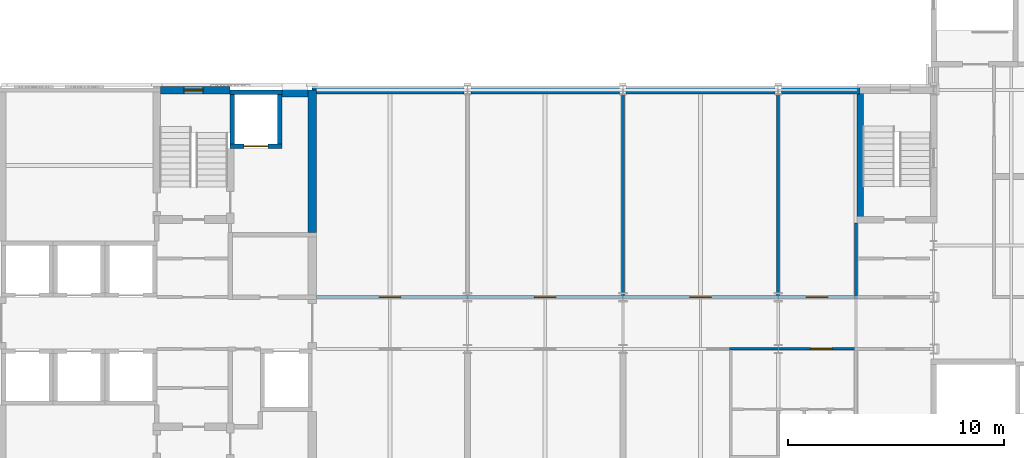
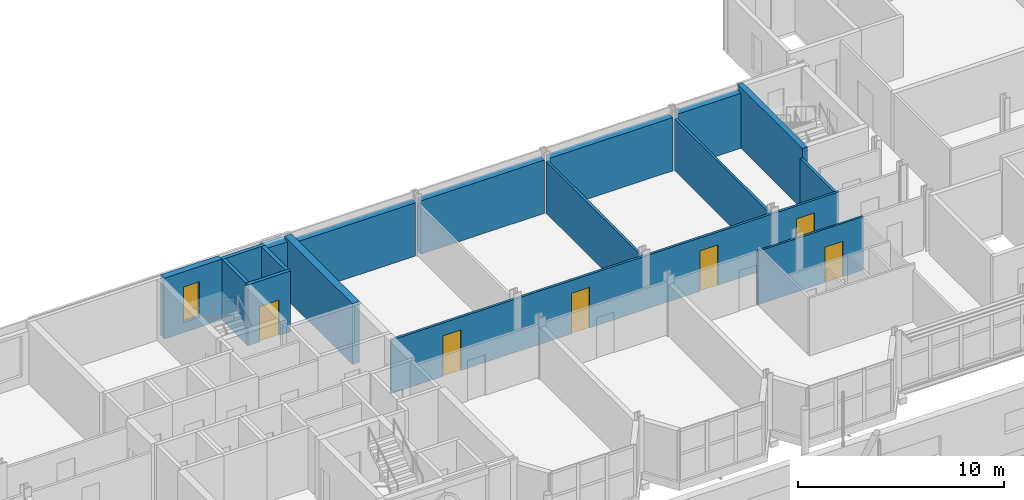
# One storey, part 100 of 142: 17 walls, 6 doors, 1 window, 7 openings.
"""IFC4 building model written with IfcOpenShell, lengths in metres."""

import ifcopenshell
import ifcopenshell.guid

model = None  # the IFC model being written
_history = None  # IfcOwnerHistory: only IFC2X3 demands one
_inside = {}  # id of a spatial element -> (the spatial element, [elements in it])
_under = {}  # id of a project, library or spatial element -> (it, [spatial elements below it])
_declared = {}  # id of a project -> (the project, [libraries it declares])
_typed = {}  # id of a type object -> (the type object, [elements of that type])
_made_of = {}  # id of a material, layer set ... -> (it, [elements and type objects made of it])


def new_model(schema):
    """Start an empty IFC model of exactly this schema.

    Asked for "IFC4X3", IfcOpenShell would pick the latest addendum, in which some entities
    have other attributes; the version numbers below select the first issue.
    IFC2X3 requires an IfcOwnerHistory on every rooted entity: one is made here for all.
    """
    global model, _history
    if schema == "IFC4X3":
        model = ifcopenshell.file(schema_version=(4, 3, 0, 0))
    else:
        model = ifcopenshell.file(schema=schema)
    _inside.clear()
    _under.clear()
    _declared.clear()
    _typed.clear()
    _made_of.clear()
    _history = None
    if model.schema == "IFC2X3":
        org = make("IfcOrganization", Name="unknown")
        user = make(
            "IfcPersonAndOrganization",
            ThePerson=make("IfcPerson", FamilyName="unknown"),
            TheOrganization=org,
        )
        app = make(
            "IfcApplication",
            ApplicationDeveloper=org,
            Version="unknown",
            ApplicationFullName="unknown",
            ApplicationIdentifier="unknown",
        )
        _history = make(
            "IfcOwnerHistory",
            OwningUser=user,
            OwningApplication=app,
            ChangeAction="ADDED",
            CreationDate=0,
        )
    return model


def make(cls, **values):
    """One entity of the class cls with the attributes given. An attribute that is None is left unset."""
    return model.create_entity(
        cls, **{name: value for name, value in values.items() if value is not None}
    )


def rooted(cls, **values):
    """An entity with a GlobalId (a new one), such as an element, a storey or a relation."""
    return make(cls, GlobalId=ifcopenshell.guid.new(), OwnerHistory=_history, **values)


def si_unit(unit_type, name, prefix=None):
    """IfcSIUnit, for example si_unit("LENGTHUNIT", "METRE", prefix="MILLI")."""
    return make("IfcSIUnit", UnitType=unit_type, Prefix=prefix, Name=name)


def assignment(units):
    """IfcUnitAssignment: the units of a project."""
    return None if units is None else make("IfcUnitAssignment", Units=units)


def point(xyz):
    """IfcCartesianPoint."""
    return None if xyz is None else make("IfcCartesianPoint", Coordinates=xyz)


def direction(xyz):
    """IfcDirection."""
    return None if xyz is None else make("IfcDirection", DirectionRatios=xyz)


def frame(location, z_axis=None, x_axis=None):
    """IfcAxis2Placement3D, a coordinate frame: its origin and axes. An axis left out is left unset."""
    return make(
        "IfcAxis2Placement3D",
        Location=point(location),
        Axis=direction(z_axis),
        RefDirection=direction(x_axis),
    )


def frame_2d(location, x_axis=None):
    """IfcAxis2Placement2D, a coordinate frame in the plane: its origin and x axis."""
    return make(
        "IfcAxis2Placement2D", Location=point(location), RefDirection=direction(x_axis)
    )


def origin():
    """The frame at (0, 0, 0) with its axes left unset."""
    return frame((0.0, 0.0, 0.0))


def place(relative_to, where):
    """IfcLocalPlacement: puts the frame where relative to a parent placement (None: the world)."""
    return make(
        "IfcLocalPlacement", PlacementRelTo=relative_to, RelativePlacement=where
    )


def context(
    kind, dimensions, precision=None, world=None, true_north=None, identifier=None
):
    """IfcGeometricRepresentationContext, for example the 3D "Model" context."""
    return make(
        "IfcGeometricRepresentationContext",
        ContextIdentifier=identifier,
        ContextType=kind,
        CoordinateSpaceDimension=dimensions,
        Precision=precision,
        WorldCoordinateSystem=world,
        TrueNorth=true_north,
    )


def subcontext(parent, identifier, kind, view, scale=None):
    """IfcGeometricRepresentationSubContext, for example "Body" below "Model"."""
    return make(
        "IfcGeometricRepresentationSubContext",
        ContextIdentifier=identifier,
        ContextType=kind,
        ParentContext=parent,
        TargetScale=scale,
        TargetView=view,
    )


def project(units=None, contexts=None):
    """IfcProject with its units and contexts."""
    return rooted(
        "IfcProject",
        Name="project",
        RepresentationContexts=contexts,
        UnitsInContext=assignment(units),
    )


def spatial(cls, under=None, at=None, **own):
    """A site, building, storey or space (cls), placed at a placement, below another one or the project."""
    s = rooted(cls, ObjectPlacement=at, **own)
    if under is not None:
        _under.setdefault(under.id(), (under, []))[1].append(s)
    return s


def profile(cls, at=None, kind="AREA", **sizes):
    """A parametric profile (cls). Its sizes go by their IFC names, for example OverallWidth=200.0."""
    return make(cls, ProfileType=kind, Position=at, **sizes)


def rectangle(**sizes):
    """IfcRectangleProfileDef."""
    return profile("IfcRectangleProfileDef", **sizes)


def extrude(swept, where, along, depth):
    """IfcExtrudedAreaSolid: the profile swept, set in the frame where, extruded along a direction by depth."""
    return make(
        "IfcExtrudedAreaSolid",
        SweptArea=swept,
        Position=where,
        ExtrudedDirection=direction(along),
        Depth=depth,
    )


def shape(context_of_items, identifier, shape_type, items):
    """IfcShapeRepresentation: the items that make up one representation, for example the "Body"."""
    return make(
        "IfcShapeRepresentation",
        ContextOfItems=context_of_items,
        RepresentationIdentifier=identifier,
        RepresentationType=shape_type,
        Items=items,
    )


def material(Name=None, Category=None):
    """IfcMaterial."""
    return make("IfcMaterial", Name=Name, Category=Category)


def layer(
    of_material, thickness, ventilated=None, Name=None, Category=None, Priority=None
):
    """IfcMaterialLayer: one layer of a wall or slab, of a material (None: an air gap)."""
    return make(
        "IfcMaterialLayer",
        Material=of_material,
        LayerThickness=thickness,
        IsVentilated=ventilated,
        Name=Name,
        Category=Category,
        Priority=Priority,
    )


def layer_set(layers, Name=None):
    """IfcMaterialLayerSet."""
    return make("IfcMaterialLayerSet", MaterialLayers=layers, LayerSetName=Name)


def made_of(thing, what):
    """Note that an element or type object is made of a material, layer set ...; save() writes the relation."""
    if what is not None:
        _made_of.setdefault(what.id(), (what, []))[1].append(thing)
    return thing


def type_object(cls, material=None, **own):
    """A type object (cls), such as IfcWallType, which elements share."""
    return made_of(rooted(cls, **own), material)


def element(
    cls,
    number,
    at=None,
    inside=None,
    cuts=None,
    type_object=None,
    material=None,
    context=None,
    identifier="Body",
    shape_type=None,
    held_by="IfcProductDefinitionShape",
    body=None,
    shapes=None,
    **own,
):
    """One element of the class cls, such as IfcWall. Its Tag is "e" and its number.

    at: its placement. inside: the storey or other place that contains it. cuts: it is an
    opening in that element (IfcRelVoidsElement). A single representation is given by context,
    identifier, shape_type and body (its items); several are given by shapes. held_by: the class
    of the entity that holds the representations. save() writes the other relations.
    """
    e = rooted(cls, Tag="e%d" % number, ObjectPlacement=at, **own)
    if body is not None:
        shapes = [shape(context, identifier, shape_type, body)]
    if shapes is not None:
        e.Representation = make(held_by, Representations=shapes)
    if inside is not None:
        _inside.setdefault(inside.id(), (inside, []))[1].append(e)
    if cuts is not None:
        rooted(
            "IfcRelVoidsElement", RelatingBuildingElement=cuts, RelatedOpeningElement=e
        )
    if type_object is not None:
        _typed.setdefault(type_object.id(), (type_object, []))[1].append(e)
    return made_of(e, material)


def fill(opening, filler):
    """IfcRelFillsElement: the door or window that sits in an opening."""
    return rooted(
        "IfcRelFillsElement",
        RelatingOpeningElement=opening,
        RelatedBuildingElement=filler,
    )


def aggregate(whole, parts):
    """IfcRelAggregates: a whole, such as a stair, and the parts it consists of."""
    return rooted("IfcRelAggregates", RelatingObject=whole, RelatedObjects=parts)


def save(model, path):
    """Write the relations noted so far, then the file.

    IfcRelAggregates (storeys below a building ...), IfcRelContainedInSpatialStructure (elements
    in a storey), IfcRelDefinesByType, IfcRelAssociatesMaterial and IfcRelDeclares: one each for
    every whole, place, type object, material and project.
    """
    for whole, parts in _under.values():
        aggregate(whole, parts)
    for where, things in _inside.values():
        rooted(
            "IfcRelContainedInSpatialStructure",
            RelatedElements=things,
            RelatingStructure=where,
        )
    for kind, things in _typed.values():
        rooted("IfcRelDefinesByType", RelatedObjects=things, RelatingType=kind)
    for what, things in _made_of.values():
        rooted("IfcRelAssociatesMaterial", RelatedObjects=things, RelatingMaterial=what)
    for by, libraries in _declared.values():
        rooted("IfcRelDeclares", RelatingContext=by, RelatedDefinitions=libraries)
    model.write(path)


model = new_model("IFC4")

# Units and contexts
model_context = context("Model", 3, precision=1e-05, world=origin(), true_north=direction((0.0, 1.0)))
body_context = subcontext(model_context, "Body", "Model", "MODEL_VIEW")
ifc_project = project(units=[si_unit("LENGTHUNIT", "METRE"), si_unit("AREAUNIT", "SQUARE_METRE"), si_unit("VOLUMEUNIT", "CUBIC_METRE"), si_unit("PLANEANGLEUNIT", "RADIAN"), si_unit("MASSUNIT", "GRAM", prefix="KILO")], contexts=[model_context])

# Site, building, storey
site_placement = place(None, origin())
site = spatial("IfcSite", under=ifc_project, at=site_placement, CompositionType="ELEMENT")
building_placement = place(site_placement, origin())
building = spatial("IfcBuilding", under=site, at=building_placement, Name="Kupolbacken Congress Centre", CompositionType="ELEMENT")
storey_placement = place(building_placement, frame((0.0, 0.0, 14.39990234375)))
storey = spatial("IfcBuildingStorey", under=building, at=storey_placement, Name="L04", CompositionType="ELEMENT", Elevation=14.39990234375)

# Walls
ifc_material_1 = material(Name="Limestone", Category="masonry")
ifc_layer_1 = layer(ifc_material_1, 0.1201171875)
ifc_material_2 = material(Name="Air cavity", Category="air")
ifc_layer_2 = layer(ifc_material_2, 0.0400390625, ventilated=True)
ifc_material_3 = material(Name="Mineral wool", Category="insulation")
ifc_layer_3 = layer(ifc_material_3, 0.169921875)
ifc_material_4 = material(Name="Steel studs", Category="metal")
ifc_layer_4 = layer(ifc_material_4, 0.050048828125)
ifc_layer_set_1 = layer_set([ifc_layer_1, ifc_layer_2, ifc_layer_3, ifc_layer_4], Name="Limestone / Mineral wool / Steel studs")
wall_type_1 = type_object("IfcWallType", Name="EW03 external cavity wall 380", PredefinedType="SOLIDWALL", material=ifc_layer_set_1)
wall_1_placement = place(storey_placement, frame((133.39990234375, 144.0, 0.0), z_axis=(0.0, 0.0, 1.0), x_axis=(-1.0, 0.0, 0.0)))
element("IfcWall", 1, at=wall_1_placement, inside=storey, type_object=wall_type_1, Name="E/T/N/L04/047", PredefinedType="SOLIDWALL", context=body_context, shape_type="SweptSolid", body=[
    extrude(rectangle(XDim=3.646484375, YDim=0.3798828125, at=frame_2d((1.8232421875, 0.0))), origin(), (0.0, 0.0, 1.0), 3.260009765625),
])
for number, where, z_axis, x_axis, name in (
    (2, (129.446533203125, 144.0, 0.0), (0.0, 0.0, 1.0), (-1.0, 0.0, 0.0), "E/T/N/L04/048"),
    (3, (122.24658203125, 144.0, 0.0), (0.0, 0.0, 1.0), (-1.0, 0.0, 0.0), "E/T/N/L04/049"),
):
    element("IfcWall", number, at=place(storey_placement, frame(where, z_axis=z_axis, x_axis=x_axis)), inside=storey, type_object=wall_type_1, Name=name, PredefinedType="SOLIDWALL", context=body_context, shape_type="SweptSolid", body=[
        extrude(rectangle(XDim=6.89306640625, YDim=0.3798828125, at=frame_2d((3.446533203125, 0.0))), origin(), (0.0, 0.0, 1.0), 3.16015625),
    ])
wall_2_placement = place(storey_placement, frame((115.04638671875, 144.0, 0.0), z_axis=(0.0, 0.0, 1.0), x_axis=(-1.0, 0.0, 0.0)))
element("IfcWall", 4, at=wall_2_placement, inside=storey, type_object=wall_type_1, Name="E/T/N/L04/050", PredefinedType="SOLIDWALL", context=body_context, shape_type="SweptSolid", body=[
    extrude(rectangle(XDim=7.04638671875, YDim=0.3798828125, at=frame_2d((3.523193359375, 0.0))), origin(), (0.0, 0.0, 1.0), 3.16015625),
])
ifc_material_5 = material(Name="Concrete C40/50", Category="concrete")
ifc_layer_5 = layer(ifc_material_5, 0.35009765625)
ifc_layer_6 = layer(ifc_material_3, 0.1220703125)
ifc_layer_7 = layer(ifc_material_2, 0.0400390625, ventilated=True)
ifc_material_6 = material(Name="Brick", Category="masonry")
ifc_layer_8 = layer(ifc_material_6, 0.10791015625)
ifc_layer_set_2 = layer_set([ifc_layer_5, ifc_layer_6, ifc_layer_7, ifc_layer_8], Name="Concrete C40/50 / Mineral wool / Brick")
wall_type_2 = type_object("IfcWallType", Name="EW10 external cavity wall 620", PredefinedType="SOLIDWALL", material=ifc_layer_set_2)
wall_3_placement = place(storey_placement, frame((107.800048828125, 144.0, 0.0), z_axis=(0.0, 0.0, 1.0), x_axis=(-1.0, 0.0, 0.0)))
element("IfcWall", 5, at=wall_3_placement, inside=storey, type_object=wall_type_2, Name="E/T/N/L04/051", PredefinedType="SOLIDWALL", context=body_context, shape_type="SweptSolid", body=[
    extrude(rectangle(XDim=1.199951171875, YDim=0.6201171875, at=frame_2d((0.60009765625, 0.0))), origin(), (0.0, 0.0, 1.0), 3.460205078125),
])

# Wall, opening, door
ifc_material_7 = material(Name="Gypsum board", Category="drywall")
ifc_layer_9 = layer(ifc_material_7, 0.114990234375)
ifc_layer_set_3 = layer_set([ifc_layer_9], Name="Gypsum board")
wall_type_3 = type_object("IfcWallType", Name="P04 partition 115", PredefinedType="PARTITIONING", material=ifc_layer_set_3)
wall_4_placement = place(storey_placement, frame((127.342529296875, 132.0, 0.0), z_axis=(0.0, 0.0, 1.0), x_axis=(1.0, 0.0, 0.0)))
wall_4 = element("IfcWall", 6, at=wall_4_placement, inside=storey, type_object=wall_type_3, Name="T/wall/L04/x/13200/12740", PredefinedType="PARTITIONING", context=body_context, shape_type="SweptSolid", body=[
    extrude(rectangle(XDim=5.9150390625, YDim=0.114990234375, at=frame_2d((2.95751953125, 0.0))), origin(), (0.0, 0.0, 1.0), 3.16015625),
])
opening_1_placement = place(wall_4_placement, frame((3.757568359375, 0.0, 0.0)))
opening_1 = element("IfcOpeningElement", 7, at=opening_1_placement, cuts=wall_4, Name="Opening D39", PredefinedType="OPENING", context=body_context, shape_type="SweptSolid", body=[
    extrude(rectangle(XDim=1.0, YDim=2.10009765625, at=frame_2d((0.5, 1.050048828125))), frame((0.0, 0.0673828125, 0.0), z_axis=(0.0, -1.0, 0.0), x_axis=(1.0, 0.0, 0.0)), (0.0, 0.0, 1.0), 0.135009765625),
])
ifc_material_8 = material(Name="Timber door leaf", Category="wood")
door_type_1 = type_object("IfcDoorType", Name="D39 door 1000x2100", OperationType="SINGLE_SWING_LEFT", PredefinedType="DOOR", material=ifc_material_8)
door_1_placement = place(opening_1_placement, origin())
door_1 = element("IfcDoor", 8, at=door_1_placement, inside=storey, type_object=door_type_1, Name="T/wall/L04/x/13200/12740/D-WD-DE", OperationType="SINGLE_SWING_RIGHT", OverallHeight=2.10009765625, OverallWidth=1.0, PredefinedType="DOOR", context=body_context, shape_type="SweptSolid", body=[
    extrude(rectangle(XDim=1.0, YDim=2.10009765625, at=frame_2d((0.5, 1.050048828125))), frame((0.0, 0.02490234375, 0.0), z_axis=(0.0, -1.0, 0.0), x_axis=(1.0, 0.0, 0.0)), (0.0, 0.0, 1.0), 0.050048828125),
])
fill(opening_1, door_1)

# Wall, openings, doors
ifc_material_9 = material(Name="Gypsum board", Category="drywall")
ifc_layer_10 = layer(ifc_material_9, 0.135009765625)
ifc_layer_set_4 = layer_set([ifc_layer_10], Name="Gypsum board")
wall_type_4 = type_object("IfcWallType", Name="P06 compartment wall 135", PredefinedType="PARTITIONING", material=ifc_layer_set_4)
wall_5_placement = place(storey_placement, frame((108.199951171875, 134.39990234375, 0.0), z_axis=(0.0, 0.0, 1.0), x_axis=(1.0, 0.0, 0.0)))
wall_5 = element("IfcWall", 9, at=wall_5_placement, inside=storey, type_object=wall_type_4, Name="T/wall/L04/x/13440/10810", PredefinedType="PARTITIONING", context=body_context, shape_type="SweptSolid", body=[
    extrude(rectangle(XDim=25.070068359375, YDim=0.135009765625, at=frame_2d((12.53515625, 0.0))), origin(), (0.0, 0.0, 1.0), 3.16015625),
])
opening_2_placement = place(wall_5_placement, frame((2.89990234375, 0.0, 0.0)))
opening_2 = element("IfcOpeningElement", 10, at=opening_2_placement, cuts=wall_5, Name="Opening D8", PredefinedType="OPENING", context=body_context, shape_type="SweptSolid", body=[
    extrude(rectangle(XDim=1.0, YDim=2.39990234375, at=frame_2d((0.5, 1.199951171875))), frame((0.0, 0.077392578125, 0.0), z_axis=(0.0, -1.0, 0.0), x_axis=(1.0, 0.0, 0.0)), (0.0, 0.0, 1.0), 0.155029296875),
])
opening_3_placement = place(wall_5_placement, frame((10.10009765625, 0.0, 0.0)))
opening_3 = element("IfcOpeningElement", 11, at=opening_3_placement, cuts=wall_5, Name="Opening D8", PredefinedType="OPENING", context=body_context, shape_type="SweptSolid", body=[
    extrude(rectangle(XDim=1.0, YDim=2.39990234375, at=frame_2d((0.5, 1.199951171875))), frame((0.0, 0.077392578125, 0.0), z_axis=(0.0, -1.0, 0.0), x_axis=(1.0, 0.0, 0.0)), (0.0, 0.0, 1.0), 0.155029296875),
])
opening_4_placement = place(wall_5_placement, frame((17.300048828125, 0.0, 0.0)))
opening_4 = element("IfcOpeningElement", 12, at=opening_4_placement, cuts=wall_5, Name="Opening D8", PredefinedType="OPENING", context=body_context, shape_type="SweptSolid", body=[
    extrude(rectangle(XDim=1.0, YDim=2.39990234375, at=frame_2d((0.5, 1.199951171875))), frame((0.0, 0.077392578125, 0.0), z_axis=(0.0, -1.0, 0.0), x_axis=(1.0, 0.0, 0.0)), (0.0, 0.0, 1.0), 0.155029296875),
])
opening_5_placement = place(wall_5_placement, frame((22.699951171875, 0.0, 0.0)))
opening_5 = element("IfcOpeningElement", 13, at=opening_5_placement, cuts=wall_5, Name="Opening D8", PredefinedType="OPENING", context=body_context, shape_type="SweptSolid", body=[
    extrude(rectangle(XDim=1.0, YDim=2.39990234375, at=frame_2d((0.5, 1.199951171875))), frame((0.0, 0.077392578125, 0.0), z_axis=(0.0, -1.0, 0.0), x_axis=(1.0, 0.0, 0.0)), (0.0, 0.0, 1.0), 0.155029296875),
])
ifc_material_10 = material(Name="Steel fire door leaf", Category="steel")
door_type_2 = type_object("IfcDoorType", Name="D8 fire door 1000x2400", OperationType="SINGLE_SWING_LEFT", PredefinedType="DOOR", material=ifc_material_10)
door_2_placement = place(opening_2_placement, origin())
door_2 = element("IfcDoor", 14, at=door_2_placement, inside=storey, type_object=door_type_2, Name="T/wall/L04/x/13440/10810/D-MN1-S1", OperationType="SINGLE_SWING_RIGHT", OverallHeight=2.39990234375, OverallWidth=1.0, PredefinedType="DOOR", context=body_context, shape_type="SweptSolid", body=[
    extrude(rectangle(XDim=1.0, YDim=2.39990234375, at=frame_2d((0.5, 1.199951171875))), frame((0.0, 0.02490234375, 0.0), z_axis=(0.0, -1.0, 0.0), x_axis=(1.0, 0.0, 0.0)), (0.0, 0.0, 1.0), 0.050048828125),
])
fill(opening_2, door_2)
door_3_placement = place(opening_3_placement, origin())
door_3 = element("IfcDoor", 15, at=door_3_placement, inside=storey, type_object=door_type_2, Name="T/wall/L04/x/13440/10810/D-MN2-S1", OperationType="SINGLE_SWING_RIGHT", OverallHeight=2.39990234375, OverallWidth=1.0, PredefinedType="DOOR", context=body_context, shape_type="SweptSolid", body=[
    extrude(rectangle(XDim=1.0, YDim=2.39990234375, at=frame_2d((0.5, 1.199951171875))), frame((0.0, 0.02490234375, 0.0), z_axis=(0.0, -1.0, 0.0), x_axis=(1.0, 0.0, 0.0)), (0.0, 0.0, 1.0), 0.050048828125),
])
fill(opening_3, door_3)
door_4_placement = place(opening_4_placement, origin())
door_4 = element("IfcDoor", 16, at=door_4_placement, inside=storey, type_object=door_type_2, Name="T/wall/L04/x/13440/10810/D-MN3-S1", OperationType="SINGLE_SWING_LEFT", OverallHeight=2.39990234375, OverallWidth=1.0, PredefinedType="DOOR", context=body_context, shape_type="SweptSolid", body=[
    extrude(rectangle(XDim=1.0, YDim=2.39990234375, at=frame_2d((0.5, 1.199951171875))), frame((0.0, 0.02490234375, 0.0), z_axis=(0.0, -1.0, 0.0), x_axis=(1.0, 0.0, 0.0)), (0.0, 0.0, 1.0), 0.050048828125),
])
fill(opening_4, door_4)
door_5_placement = place(opening_5_placement, origin())
door_5 = element("IfcDoor", 17, at=door_5_placement, inside=storey, type_object=door_type_2, Name="T/wall/L04/x/13440/10810/D-BK3-S1", OperationType="SINGLE_SWING_LEFT", OverallHeight=2.39990234375, OverallWidth=1.0, PredefinedType="DOOR", context=body_context, shape_type="SweptSolid", body=[
    extrude(rectangle(XDim=1.0, YDim=2.39990234375, at=frame_2d((0.5, 1.199951171875))), frame((0.0, 0.02490234375, 0.0), z_axis=(0.0, -1.0, 0.0), x_axis=(1.0, 0.0, 0.0)), (0.0, 0.0, 1.0), 0.050048828125),
])
fill(opening_5, door_5)

# Walls
for number, where, z_axis, x_axis, name in (
    (18, (122.39990234375, 134.467529296875, 0.0), (0.0, 0.0, 1.0), (0.0, 1.0, 0.0), "T/wall/L04/y/12240/13440"),
    (19, (129.60009765625, 134.467529296875, 0.0), (0.0, 0.0, 1.0), (0.0, 1.0, 0.0), "T/wall/L04/y/12960/13440"),
):
    element("IfcWall", number, at=place(storey_placement, frame(where, z_axis=z_axis, x_axis=x_axis)), inside=storey, type_object=wall_type_4, Name=name, PredefinedType="PARTITIONING", context=body_context, shape_type="SweptSolid", body=[
        extrude(rectangle(XDim=9.342529296875, YDim=0.135009765625, at=frame_2d((4.67138671875, 0.0))), origin(), (0.0, 0.0, 1.0), 3.06005859375),
    ])
ifc_material_11 = material(Name="Aerated concrete block", Category="masonry")
ifc_layer_11 = layer(ifc_material_11, 0.139892578125)
ifc_layer_set_5 = layer_set([ifc_layer_11], Name="Aerated concrete block")
wall_type_5 = type_object("IfcWallType", Name="P14 compartment wall 140", PredefinedType="PARTITIONING", material=ifc_layer_set_5)
wall_6_placement = place(storey_placement, frame((133.199951171875, 134.469970703125, 0.0), z_axis=(0.0, 0.0, 1.0), x_axis=(0.0, 1.0, 0.0)))
element("IfcWall", 20, at=wall_6_placement, inside=storey, type_object=wall_type_5, Name="T/wall/L04/y/13320/13440", PredefinedType="PARTITIONING", context=body_context, shape_type="SweptSolid", body=[
    extrude(rectangle(XDim=3.380126953125, YDim=0.139892578125, at=frame_2d((1.68994140625, 0.0))), origin(), (0.0, 0.0, 1.0), 3.06005859375),
])

# Wall, opening, door
ifc_material_12 = material(Name="Concrete C40/50", Category="concrete")
ifc_layer_12 = layer(ifc_material_12, 0.199951171875)
ifc_layer_set_6 = layer_set([ifc_layer_12], Name="Concrete C40/50")
wall_type_6 = type_object("IfcWallType", Name="WC1 RC shaft wall 200", PredefinedType="SHEAR", material=ifc_layer_set_6)
wall_7_placement = place(storey_placement, frame((104.199951171875, 141.39990234375, 0.0), z_axis=(0.0, 0.0, 1.0), x_axis=(1.0, 0.0, 0.0)))
wall_7 = element("IfcWall", 21, at=wall_7_placement, inside=storey, type_object=wall_type_6, Name="Shaft wall LF2", PredefinedType="SHEAR", context=body_context, shape_type="SweptSolid", body=[
    extrude(rectangle(XDim=2.400146484375, YDim=0.199951171875, at=frame_2d((1.2001953125, 0.0))), origin(), (0.0, 0.0, 1.0), 3.60009765625),
])
opening_6_placement = place(wall_7_placement, frame((0.64990234375, 0.0, 0.0)))
opening_6 = element("IfcOpeningElement", 22, at=opening_6_placement, cuts=wall_7, Name="Opening LD2", PredefinedType="OPENING", context=body_context, shape_type="SweptSolid", body=[
    extrude(rectangle(XDim=1.10009765625, YDim=2.10009765625, at=frame_2d((0.550048828125, 1.050048828125))), frame((0.0, 0.10986328125, 0.0), z_axis=(0.0, -1.0, 0.0), x_axis=(1.0, 0.0, 0.0)), (0.0, 0.0, 1.0), 0.219970703125),
])
ifc_material_13 = material(Name="Stainless steel door leaf", Category="steel")
door_type_3 = type_object("IfcDoorType", Name="LD2 lift landing door 1100x2100", OperationType="SLIDING_TO_LEFT", PredefinedType="DOOR", material=ifc_material_13)
door_6_placement = place(opening_6_placement, origin())
door_6 = element("IfcDoor", 23, at=door_6_placement, inside=storey, type_object=door_type_3, Name="Lift landing door LF2", OperationType="SLIDING_TO_LEFT", OverallHeight=2.10009765625, OverallWidth=1.10009765625, PredefinedType="DOOR", context=body_context, shape_type="SweptSolid", body=[
    extrude(rectangle(XDim=1.10009765625, YDim=2.10009765625, at=frame_2d((0.550048828125, 1.050048828125))), frame((0.0, 0.02490234375, 0.0), z_axis=(0.0, -1.0, 0.0), x_axis=(1.0, 0.0, 0.0)), (0.0, 0.0, 1.0), 0.050048828125),
])
fill(opening_6, door_6)

# Walls
wall_8_placement = place(storey_placement, frame((104.199951171875, 143.89990234375, 0.0), z_axis=(0.0, 0.0, 1.0), x_axis=(1.0, 0.0, 0.0)))
element("IfcWall", 24, at=wall_8_placement, inside=storey, type_object=wall_type_6, Name="Shaft wall LF2", PredefinedType="SHEAR", context=body_context, shape_type="SweptSolid", body=[
    extrude(rectangle(XDim=2.400146484375, YDim=0.199951171875, at=frame_2d((1.2001953125, 0.0))), origin(), (0.0, 0.0, 1.0), 3.60009765625),
])
for number, where, z_axis, x_axis, name in (
    (25, (104.300048828125, 141.5, 0.0), (0.0, 0.0, 1.0), (0.0, 1.0, 0.0), "Shaft wall LF2"),
    (26, (106.5, 141.5, 0.0), (0.0, 0.0, 1.0), (0.0, 1.0, 0.0), "Shaft wall LF2"),
):
    element("IfcWall", number, at=place(storey_placement, frame(where, z_axis=z_axis, x_axis=x_axis)), inside=storey, type_object=wall_type_6, Name=name, PredefinedType="SHEAR", context=body_context, shape_type="SweptSolid", body=[
        extrude(rectangle(XDim=2.300048828125, YDim=0.199951171875, at=frame_2d((1.14990234375, 0.0))), origin(), (0.0, 0.0, 1.0), 3.60009765625),
    ])
ifc_material_14 = material(Name="Concrete C40/50", Category="concrete")
ifc_layer_13 = layer(ifc_material_14, 0.300048828125)
ifc_layer_set_7 = layer_set([ifc_layer_13], Name="Concrete C40/50")
wall_type_7 = type_object("IfcWallType", Name="WC3 RC core wall 300", PredefinedType="SHEAR", material=ifc_layer_set_7)
wall_9_placement = place(storey_placement, frame((133.39990234375, 144.14990234375, 0.0), z_axis=(0.0, 0.0, 1.0), x_axis=(0.0, -1.0, 0.0)))
element("IfcWall", 27, at=wall_9_placement, inside=storey, type_object=wall_type_7, Name="Core wall L04-130", PredefinedType="SHEAR", context=body_context, shape_type="SweptSolid", body=[
    extrude(rectangle(XDim=6.2998046875, YDim=0.300048828125, at=frame_2d((3.14990234375, 0.0))), origin(), (0.0, 0.0, 1.0), 3.60009765625),
])

# Wall, opening, window
ifc_material_15 = material(Name="Concrete C40/50", Category="concrete")
ifc_layer_14 = layer(ifc_material_15, 0.35009765625)
ifc_layer_set_8 = layer_set([ifc_layer_14], Name="Concrete C40/50")
wall_type_8 = type_object("IfcWallType", Name="WC4 RC core wall 350", PredefinedType="SHEAR", material=ifc_layer_set_8)
wall_10_placement = place(storey_placement, frame((104.199951171875, 144.0, 0.0), z_axis=(0.0, 0.0, 1.0), x_axis=(-1.0, 0.0, 0.0)))
wall_10 = element("IfcWall", 28, at=wall_10_placement, inside=storey, type_object=wall_type_8, Name="Core wall L04-129", PredefinedType="SHEAR", context=body_context, shape_type="SweptSolid", body=[
    extrude(rectangle(XDim=3.224853515625, YDim=0.35009765625, at=frame_2d((1.6123046875, 0.0))), origin(), (0.0, 0.0, 1.0), 3.60009765625),
])
opening_7_placement = place(wall_10_placement, frame((1.25, 0.0, 0.60009765625)))
opening_7 = element("IfcOpeningElement", 29, at=opening_7_placement, cuts=wall_10, Name="Opening W28", PredefinedType="OPENING", context=body_context, shape_type="SweptSolid", body=[
    extrude(rectangle(XDim=0.89990234375, YDim=2.10009765625, at=frame_2d((0.449951171875, 1.050048828125))), frame((0.0, 0.18505859375, 0.0), z_axis=(0.0, -1.0, 0.0), x_axis=(1.0, 0.0, 0.0)), (0.0, 0.0, 1.0), 0.3701171875),
])
ifc_material_16 = material(Name="Aluminium frame with double or triple glazing", Category="aluminium")
window_type = type_object("IfcWindowType", Name="W28 window 900x2100", PartitioningType="SINGLE_PANEL", PredefinedType="WINDOW", material=ifc_material_16)
window_placement = place(opening_7_placement, origin())
window = element("IfcWindow", 30, at=window_placement, inside=storey, type_object=window_type, Name="S/core/L04/129/WW28", OverallHeight=2.10009765625, OverallWidth=0.89990234375, PartitioningType="SINGLE_PANEL", PredefinedType="WINDOW", context=body_context, shape_type="SweptSolid", body=[
    extrude(rectangle(XDim=0.89990234375, YDim=2.10009765625, at=frame_2d((0.449951171875, 1.050048828125))), frame((0.0, 0.030029296875, 0.0), z_axis=(0.0, -1.0, 0.0), x_axis=(1.0, 0.0, 0.0)), (0.0, 0.0, 1.0), 0.06005859375),
])
fill(opening_7, window)

# Wall
ifc_material_17 = material(Name="Concrete C40/50", Category="concrete")
ifc_layer_15 = layer(ifc_material_17, 0.39990234375)
ifc_layer_set_9 = layer_set([ifc_layer_15], Name="Concrete C40/50")
wall_type_9 = type_object("IfcWallType", Name="WC5 RC core wall 400", PredefinedType="SHEAR", material=ifc_layer_set_9)
wall_11_placement = place(storey_placement, frame((108.0, 137.39990234375, 0.0), z_axis=(0.0, 0.0, 1.0), x_axis=(0.0, 1.0, 0.0)))
element("IfcWall", 31, at=wall_11_placement, inside=storey, type_object=wall_type_9, Name="Core wall L04-117", PredefinedType="SHEAR", context=body_context, shape_type="SweptSolid", body=[
    extrude(rectangle(XDim=6.60009765625, YDim=0.39990234375, at=frame_2d((3.300048828125, 0.0))), origin(), (0.0, 0.0, 1.0), 3.60009765625),
])

save(model, "model.ifc")
